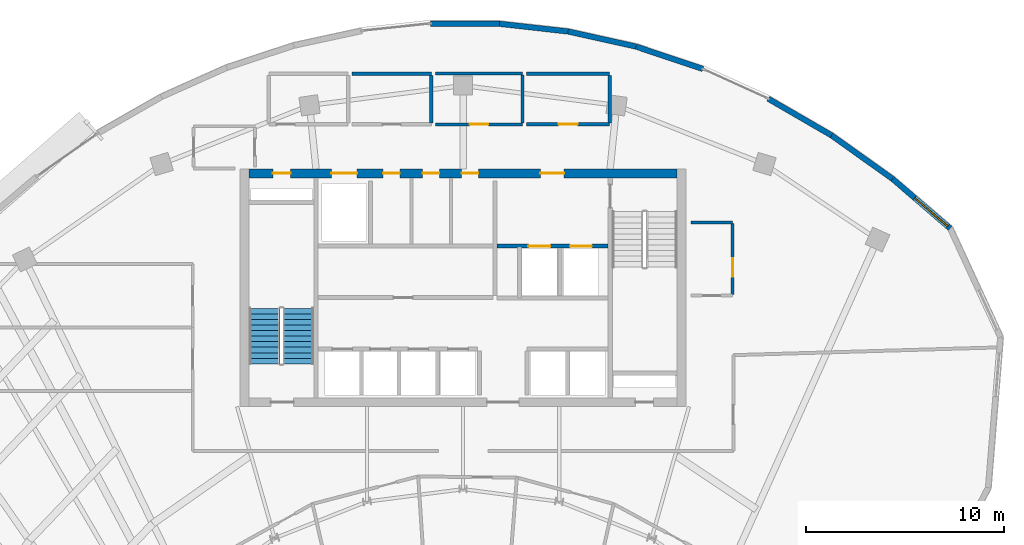
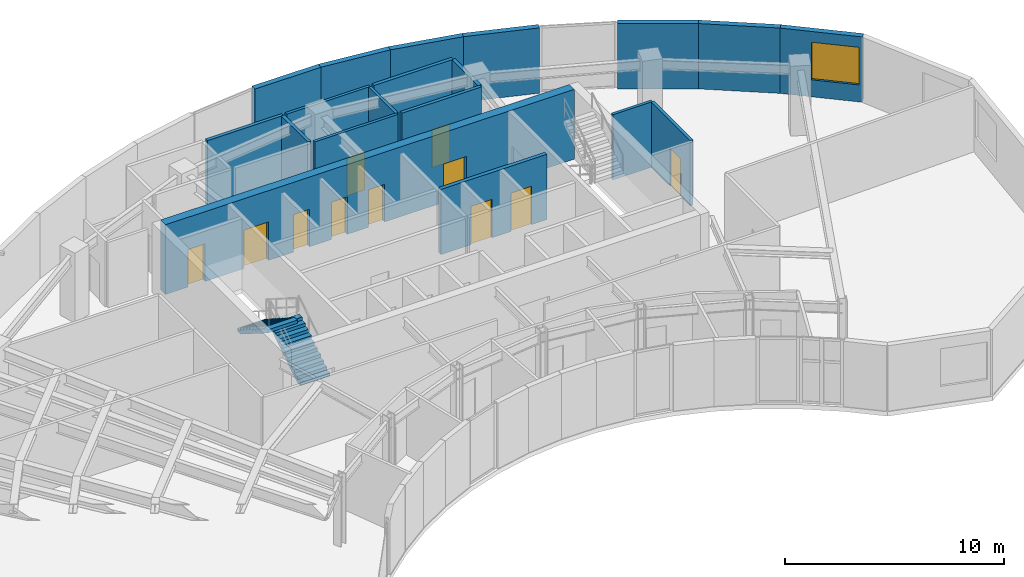
# One storey, part 10 of 12: 19 walls, 11 doors, 2 stair flights, 1 window, 12 openings, 1 element without a shape of its own.
"""IFC4 building model written with IfcOpenShell, lengths in metres."""

from ifc_helpers import new_model, si_unit, direction, frame, frame_2d, origin, place, context, subcontext, project, spatial, polyline, rectangle, outline, extrude, source, transform, mapped, material, layer, layer_set, type_object, type_shapes, element, fill, aggregate, save


model = new_model("IFC4")

# Units and contexts
model_context = context("Model", 3, precision=1e-05, world=origin(), true_north=direction((0.0, 1.0)))
body_context = subcontext(model_context, "Body", "Model", "MODEL_VIEW")
ifc_project = project(units=[si_unit("LENGTHUNIT", "METRE"), si_unit("AREAUNIT", "SQUARE_METRE"), si_unit("VOLUMEUNIT", "CUBIC_METRE"), si_unit("PLANEANGLEUNIT", "RADIAN"), si_unit("MASSUNIT", "GRAM", prefix="KILO")], contexts=[model_context])

# Site, building, storey
site_placement = place(None, origin())
site = spatial("IfcSite", under=ifc_project, at=site_placement, CompositionType="ELEMENT")
building_placement = place(site_placement, origin())
building = spatial("IfcBuilding", under=site, at=building_placement, Name="Breltana Convention Tower", CompositionType="ELEMENT")
storey_placement = place(building_placement, frame((0.0, 0.0, 239.10009765625)))
storey = spatial("IfcBuildingStorey", under=building, at=storey_placement, Name="L58", CompositionType="ELEMENT", Elevation=239.10009765625)

# Wall, openings, doors
ifc_material_1 = material(Name="Concrete C60/75", Category="concrete")
ifc_layer_1 = layer(ifc_material_1, 0.449951171875, Name="Concrete C60/75")
ifc_layer_set_1 = layer_set([ifc_layer_1], Name="Concrete C60/75")
wall_type_1 = type_object("IfcWallType", Name="SW-CORE-450", PredefinedType="SHEAR", material=ifc_layer_set_1)
shared_shape_1 = source(origin(), body_context, "Body", "SweptSolid", [
    extrude(rectangle(XDim=21.60009765625, YDim=0.449951171875, at=frame_2d((10.800048828125, 0.0))), origin(), (0.0, 0.0, 1.0), 3.89990234375),
])
wall_1_placement = place(storey_placement, frame((37.199951171875, 71.97509765625, 0.0), z_axis=(0.0, 0.0, 1.0), x_axis=(1.0, 0.0, 0.0)))
wall_1 = element("IfcWall", 1, at=wall_1_placement, inside=storey, type_object=wall_type_1, Name="L58 North Core Shear Wall", PredefinedType="SHEAR", context=body_context, shape_type="MappedRepresentation", body=[
    mapped(shared_shape_1, transform((0.0, 0.0, 0.0), scale=1.0)),
])
opening_1_placement = place(wall_1_placement, frame((1.199951171875, 0.0, 0.0)))
opening_1 = element("IfcOpeningElement", 2, at=opening_1_placement, cuts=wall_1, Name="Opening D-18", PredefinedType="OPENING", context=body_context, shape_type="SweptSolid", body=[
    extrude(rectangle(XDim=0.89990234375, YDim=2.10009765625, at=frame_2d((0.449951171875, 1.050048828125))), frame((0.0, 0.23486328125, 0.0), z_axis=(0.0, -1.0, 0.0), x_axis=(1.0, 0.0, 0.0)), (0.0, 0.0, 1.0), 0.469970703125),
])
opening_2_placement = place(wall_1_placement, frame((14.699951171875, 0.0, 0.0)))
opening_2 = element("IfcOpeningElement", 3, at=opening_2_placement, cuts=wall_1, Name="Opening D-09", PredefinedType="OPENING", context=body_context, shape_type="SweptSolid", body=[
    extrude(rectangle(XDim=1.199951171875, YDim=2.14990234375, at=frame_2d((0.60009765625, 1.074951171875))), frame((0.0, 0.23486328125, 0.0), z_axis=(0.0, -1.0, 0.0), x_axis=(1.0, 0.0, 0.0)), (0.0, 0.0, 1.0), 0.469970703125),
])
opening_3_placement = place(wall_1_placement, frame((4.14990234375, 0.0, 0.0)))
opening_3 = element("IfcOpeningElement", 4, at=opening_3_placement, cuts=wall_1, Name="Opening LD-01", PredefinedType="OPENING", context=body_context, shape_type="SweptSolid", body=[
    extrude(rectangle(XDim=1.300048828125, YDim=2.14990234375, at=frame_2d((0.64990234375, 1.074951171875))), frame((0.0, 0.23486328125, 0.0), z_axis=(0.0, -1.0, 0.0), x_axis=(1.0, 0.0, 0.0)), (0.0, 0.0, 1.0), 0.469970703125),
])
opening_4_placement = place(wall_1_placement, frame((6.760009765625, 0.0, 0.0)))
opening_4 = element("IfcOpeningElement", 5, at=opening_4_placement, cuts=wall_1, Name="Opening D-20", PredefinedType="OPENING", context=body_context, shape_type="SweptSolid", body=[
    extrude(rectangle(XDim=0.85009765625, YDim=2.10009765625, at=frame_2d((0.425048828125, 1.050048828125))), frame((0.0, 0.23486328125, 0.0), z_axis=(0.0, -1.0, 0.0), x_axis=(1.0, 0.0, 0.0)), (0.0, 0.0, 1.0), 0.469970703125),
])
opening_5_placement = place(wall_1_placement, frame((8.760009765625, 0.0, 0.0)))
opening_5 = element("IfcOpeningElement", 6, at=opening_5_placement, cuts=wall_1, Name="Opening D-20", PredefinedType="OPENING", context=body_context, shape_type="SweptSolid", body=[
    extrude(rectangle(XDim=0.85009765625, YDim=2.10009765625, at=frame_2d((0.425048828125, 1.050048828125))), frame((0.0, 0.23486328125, 0.0), z_axis=(0.0, -1.0, 0.0), x_axis=(1.0, 0.0, 0.0)), (0.0, 0.0, 1.0), 0.469970703125),
])
opening_6_placement = place(wall_1_placement, frame((10.72509765625, 0.0, 0.0)))
opening_6 = element("IfcOpeningElement", 7, at=opening_6_placement, cuts=wall_1, Name="Opening D-20", PredefinedType="OPENING", context=body_context, shape_type="SweptSolid", body=[
    extrude(rectangle(XDim=0.85009765625, YDim=2.10009765625, at=frame_2d((0.425048828125, 1.050048828125))), frame((0.0, 0.23486328125, 0.0), z_axis=(0.0, -1.0, 0.0), x_axis=(1.0, 0.0, 0.0)), (0.0, 0.0, 1.0), 0.469970703125),
])
ifc_material_2 = material(Name="Steel Riser Fire Door", Category="steel")
door_type_1 = type_object("IfcDoorType", Name="DR-FD60-900", OperationType="NOTDEFINED", PredefinedType="DOOR", material=ifc_material_2)
shared_shape_2 = source(origin(), body_context, "Body", "SweptSolid", [
    extrude(rectangle(XDim=0.89990234375, YDim=2.10009765625, at=frame_2d((0.449951171875, 1.050048828125))), frame((0.0, 0.02490234375, 0.0), z_axis=(0.0, -1.0, 0.0), x_axis=(1.0, 0.0, 0.0)), (0.0, 0.0, 1.0), 0.050048828125),
])
type_shapes(door_type_1, [shared_shape_2])
door_1_placement = place(opening_1_placement, origin())
door_1 = element("IfcDoor", 8, at=door_1_placement, inside=storey, type_object=door_type_1, Name="L58 Core Riser Access Door D-L58-RS1", OperationType="SINGLE_SWING_LEFT", OverallHeight=2.10009765625, OverallWidth=0.89990234375, PredefinedType="DOOR", context=body_context, shape_type="MappedRepresentation", body=[
    mapped(shared_shape_2, transform((0.0, 0.0, 0.0), scale=1.0)),
])
fill(opening_1, door_1)
ifc_material_3 = material(Name="Steel Fire Lobby Door", Category="steel")
door_type_2 = type_object("IfcDoorType", Name="DR-FD120-1200", OperationType="NOTDEFINED", PredefinedType="DOOR", material=ifc_material_3)
shared_shape_3 = source(origin(), body_context, "Body", "SweptSolid", [
    extrude(rectangle(XDim=1.199951171875, YDim=2.14990234375, at=frame_2d((0.60009765625, 1.074951171875))), frame((0.0, 0.02490234375, 0.0), z_axis=(0.0, -1.0, 0.0), x_axis=(1.0, 0.0, 0.0)), (0.0, 0.0, 1.0), 0.050048828125),
])
type_shapes(door_type_2, [shared_shape_3])
door_2_placement = place(opening_2_placement, origin())
door_2 = element("IfcDoor", 9, at=door_2_placement, inside=storey, type_object=door_type_2, Name="L58 interior door D-L58-FFL-N", OperationType="SINGLE_SWING_RIGHT", OverallHeight=2.14990234375, OverallWidth=1.199951171875, PredefinedType="DOOR", context=body_context, shape_type="MappedRepresentation", body=[
    mapped(shared_shape_3, transform((0.0, 0.0, 0.0), scale=1.0)),
])
fill(opening_2, door_2)
ifc_material_4 = material(Name="Stainless Steel Brushed", Category="steel")
door_type_3 = type_object("IfcDoorType", Name="DR-LD-SRV-1300", OperationType="DOUBLE_DOOR_SLIDING", PredefinedType="DOOR", material=ifc_material_4)
shared_shape_4 = source(origin(), body_context, "Body", "SweptSolid", [
    extrude(rectangle(XDim=1.300048828125, YDim=2.14990234375, at=frame_2d((0.64990234375, 1.074951171875))), frame((0.0, 0.02490234375, 0.0), z_axis=(0.0, -1.0, 0.0), x_axis=(1.0, 0.0, 0.0)), (0.0, 0.0, 1.0), 0.050048828125),
])
type_shapes(door_type_3, [shared_shape_4])
door_3_placement = place(opening_3_placement, origin())
door_3 = element("IfcDoor", 10, at=door_3_placement, inside=storey, type_object=door_type_3, Name="L58 Lift Landing Door D-L58-LD-SV1", OperationType="DOUBLE_DOOR_SLIDING", OverallHeight=2.14990234375, OverallWidth=1.300048828125, PredefinedType="DOOR", context=body_context, shape_type="MappedRepresentation", body=[
    mapped(shared_shape_4, transform((0.0, 0.0, 0.0), scale=1.0)),
])
fill(opening_3, door_3)
ifc_material_5 = material(Name="Steel Closet Fire Door", Category="steel")
door_type_4 = type_object("IfcDoorType", Name="DR-FD60-850", OperationType="NOTDEFINED", PredefinedType="DOOR", material=ifc_material_5)
shared_shape_5 = source(origin(), body_context, "Body", "SweptSolid", [
    extrude(rectangle(XDim=0.85009765625, YDim=2.10009765625, at=frame_2d((0.425048828125, 1.050048828125))), frame((0.0, 0.02490234375, 0.0), z_axis=(0.0, -1.0, 0.0), x_axis=(1.0, 0.0, 0.0)), (0.0, 0.0, 1.0), 0.050048828125),
])
type_shapes(door_type_4, [shared_shape_5])
door_4_placement = place(opening_4_placement, origin())
door_4 = element("IfcDoor", 11, at=door_4_placement, inside=storey, type_object=door_type_4, Name="L58 interior door D-L58-CRA1", OperationType="SINGLE_SWING_RIGHT", OverallHeight=2.10009765625, OverallWidth=0.85009765625, PredefinedType="DOOR", context=body_context, shape_type="MappedRepresentation", body=[
    mapped(shared_shape_5, transform((0.0, 0.0, 0.0), scale=1.0)),
])
fill(opening_4, door_4)
door_5_placement = place(opening_5_placement, origin())
door_5 = element("IfcDoor", 12, at=door_5_placement, inside=storey, type_object=door_type_4, Name="L58 interior door D-L58-CRA2", OperationType="SINGLE_SWING_LEFT", OverallHeight=2.10009765625, OverallWidth=0.85009765625, PredefinedType="DOOR", context=body_context, shape_type="MappedRepresentation", body=[
    mapped(shared_shape_5, transform((0.0, 0.0, 0.0), scale=1.0)),
])
fill(opening_5, door_5)
door_6_placement = place(opening_6_placement, origin())
door_6 = element("IfcDoor", 13, at=door_6_placement, inside=storey, type_object=door_type_4, Name="L58 interior door D-L58-CRA3", OperationType="SINGLE_SWING_RIGHT", OverallHeight=2.10009765625, OverallWidth=0.85009765625, PredefinedType="DOOR", context=body_context, shape_type="MappedRepresentation", body=[
    mapped(shared_shape_5, transform((0.0, 0.0, 0.0), scale=1.0)),
])
fill(opening_6, door_6)

# Walls
ifc_material_6 = material(Name="Limestone Buff Insulated Wall", Category="masonry")
ifc_layer_2 = layer(ifc_material_6, 0.280029296875, Name="Limestone Buff Insulated Wall")
ifc_layer_set_2 = layer_set([ifc_layer_2], Name="Limestone Buff Insulated Wall")
wall_type_2 = type_object("IfcWallType", Name="WL-EXT-NOSE-280", PredefinedType="SOLIDWALL", material=ifc_layer_set_2)
shared_shape_6 = source(origin(), body_context, "Body", "SweptSolid", [
    extrude(rectangle(XDim=3.477294921875, YDim=0.280029296875, at=frame_2d((1.73876953125, 0.0))), origin(), (0.0, 0.0, 1.0), 3.64990234375),
])
wall_2_placement = place(storey_placement, frame((46.354736328125, 79.531494140625, 0.0), z_axis=(0.0, 0.0, 1.0), x_axis=(0.999995652268, -0.002948804142, 0.0)))
element("IfcWall", 14, at=wall_2_placement, inside=storey, type_object=wall_type_2, Name="L58 curved limestone nose wall E28", PredefinedType="SOLIDWALL", context=body_context, shape_type="MappedRepresentation", body=[
    mapped(shared_shape_6, transform((0.0, 0.0, 0.0), scale=1.0)),
])
shared_shape_7 = source(origin(), body_context, "Body", "SweptSolid", [
    extrude(rectangle(XDim=3.514892578125, YDim=0.280029296875, at=frame_2d((1.75732421875, 0.0))), origin(), (0.0, 0.0, 1.0), 3.64990234375),
])
wall_3_placement = place(storey_placement, frame((53.297607421875, 79.13330078125, 0.0), z_axis=(0.0, 0.0, 1.0), x_axis=(0.976144550296, -0.217121663884, 0.0)))
element("IfcWall", 15, at=wall_3_placement, inside=storey, type_object=wall_type_2, Name="L58 curved limestone nose wall E30", PredefinedType="SOLIDWALL", context=body_context, shape_type="MappedRepresentation", body=[
    mapped(shared_shape_7, transform((0.0, 0.0, 0.0), scale=1.0)),
])
shared_shape_8 = source(origin(), body_context, "Body", "SweptSolid", [
    extrude(rectangle(XDim=3.559326171875, YDim=0.280029296875, at=frame_2d((1.77978515625, 0.0))), origin(), (0.0, 0.0, 1.0), 3.64990234375),
])
wall_4_placement = place(storey_placement, frame((56.728759765625, 78.3701171875, 0.0), z_axis=(0.0, 0.0, 1.0), x_axis=(0.947933000453, -0.31846982063, 0.0)))
element("IfcWall", 16, at=wall_4_placement, inside=storey, type_object=wall_type_2, Name="L58 curved limestone nose wall E31", PredefinedType="SOLIDWALL", context=body_context, shape_type="MappedRepresentation", body=[
    mapped(shared_shape_8, transform((0.0, 0.0, 0.0), scale=1.0)),
])
shared_shape_9 = source(origin(), body_context, "Body", "SweptSolid", [
    extrude(rectangle(XDim=3.69189453125, YDim=0.280029296875, at=frame_2d((1.845947265625, 0.0))), origin(), (0.0, 0.0, 1.0), 3.64990234375),
])
wall_5_placement = place(storey_placement, frame((63.398193359375, 75.73974609375, 0.0), z_axis=(0.0, 0.0, 1.0), x_axis=(0.86534327136, -0.501179631181, 0.0)))
element("IfcWall", 17, at=wall_5_placement, inside=storey, type_object=wall_type_2, Name="L58 curved limestone nose wall E32", PredefinedType="SOLIDWALL", context=body_context, shape_type="MappedRepresentation", body=[
    mapped(shared_shape_9, transform((0.0, 0.0, 0.0), scale=1.0)),
])
shared_shape_10 = source(origin(), body_context, "Body", "SweptSolid", [
    extrude(rectangle(XDim=3.775146484375, YDim=0.280029296875, at=frame_2d((1.8876953125, 0.0))), origin(), (0.0, 0.0, 1.0), 3.64990234375),
])
wall_6_placement = place(storey_placement, frame((66.593017578125, 73.889404296875, 0.0), z_axis=(0.0, 0.0, 1.0), x_axis=(0.814135281578, -0.580675247699, 0.0)))
element("IfcWall", 18, at=wall_6_placement, inside=storey, type_object=wall_type_2, Name="L58 curved limestone nose wall E33", PredefinedType="SOLIDWALL", context=body_context, shape_type="MappedRepresentation", body=[
    mapped(shared_shape_10, transform((0.0, 0.0, 0.0), scale=1.0)),
])

# Wall, opening, window
shared_shape_11 = source(origin(), body_context, "Body", "SweptSolid", [
    extrude(rectangle(XDim=3.833984375, YDim=0.280029296875, at=frame_2d((1.9169921875, 0.0))), origin(), (0.0, 0.0, 1.0), 3.64990234375),
])
wall_7_placement = place(storey_placement, frame((69.66650390625, 71.697265625, 0.0), z_axis=(0.0, 0.0, 1.0), x_axis=(0.75839292431, -0.651797646787, 0.0)))
wall_7 = element("IfcWall", 19, at=wall_7_placement, inside=storey, type_object=wall_type_2, Name="L58 curved limestone nose wall E34", PredefinedType="SOLIDWALL", context=body_context, shape_type="MappedRepresentation", body=[
    mapped(shared_shape_11, transform((0.0, 0.0, 0.0), scale=1.0)),
])
opening_7_placement = place(wall_7_placement, frame((1.473876953125, 0.0, 0.949951171875)))
opening_7 = element("IfcOpeningElement", 20, at=opening_7_placement, cuts=wall_7, Name="Opening W-03", PredefinedType="OPENING", context=body_context, shape_type="SweptSolid", body=[
    extrude(rectangle(XDim=2.199951171875, YDim=2.10009765625, at=frame_2d((1.10009765625, 1.050048828125))), frame((0.0, 0.14990234375, 0.0), z_axis=(0.0, -1.0, 0.0), x_axis=(1.0, 0.0, 0.0)), (0.0, 0.0, 1.0), 0.300048828125),
])
ifc_material_7 = material(Name="Glass Low-E Insulated Window", Category="glass")
window_type = type_object("IfcWindowType", Name="WN-NOSE-2200X2100", PartitioningType="TRIPLE_PANEL_VERTICAL", PredefinedType="WINDOW", material=ifc_material_7)
shared_shape_12 = source(origin(), body_context, "Body", "SweptSolid", [
    extrude(rectangle(XDim=2.199951171875, YDim=2.10009765625, at=frame_2d((1.10009765625, 1.050048828125))), frame((0.0, 0.030029296875, 0.0), z_axis=(0.0, -1.0, 0.0), x_axis=(1.0, 0.0, 0.0)), (0.0, 0.0, 1.0), 0.06005859375),
])
type_shapes(window_type, [shared_shape_12])
window_placement = place(opening_7_placement, origin())
window = element("IfcWindow", 21, at=window_placement, inside=storey, type_object=window_type, Name="L58 nose window E34", OverallHeight=2.10009765625, OverallWidth=2.199951171875, PartitioningType="TRIPLE_PANEL_VERTICAL", PredefinedType="WINDOW", context=body_context, shape_type="MappedRepresentation", body=[
    mapped(shared_shape_12, transform((0.0, 0.0, 0.0), scale=1.0)),
])
fill(opening_7, window)

# Wall
shared_shape_13 = source(origin(), body_context, "Body", "SweptSolid", [
    extrude(rectangle(XDim=3.4873046875, YDim=0.280029296875, at=frame_2d((1.74365234375, 0.0))), origin(), (0.0, 0.0, 1.0), 3.64990234375),
])
wall_8_placement = place(storey_placement, frame((49.83203125, 79.521240234375, 0.0), z_axis=(0.0, 0.0, 1.0), x_axis=(0.993792900103, -0.111245996355, 0.0)))
element("IfcWall", 22, at=wall_8_placement, inside=storey, type_object=wall_type_2, Name="L58 curved limestone nose wall E29", PredefinedType="SOLIDWALL", context=body_context, shape_type="MappedRepresentation", body=[
    mapped(shared_shape_13, transform((0.0, 0.0, 0.0), scale=1.0)),
])

# Wall, openings, doors
ifc_material_8 = material(Name="Autoclaved Aerated Concrete Block", Category="concrete")
ifc_layer_3 = layer(ifc_material_8, 0.199951171875, Name="Autoclaved Aerated Concrete Block")
ifc_layer_set_3 = layer_set([ifc_layer_3], Name="Autoclaved Aerated Concrete Block")
wall_type_3 = type_object("IfcWallType", Name="WL-SHAFT-200", PredefinedType="SOLIDWALL", material=ifc_layer_set_3)
shared_shape_14 = source(origin(), body_context, "Body", "SweptSolid", [
    extrude(rectangle(XDim=5.6201171875, YDim=0.199951171875, at=frame_2d((2.81005859375, 0.0))), origin(), (0.0, 0.0, 1.0), 3.64990234375),
])
wall_9_placement = place(storey_placement, frame((49.699951171875, 68.300048828125, 0.0), z_axis=(0.0, 0.0, 1.0), x_axis=(1.0, 0.0, 0.0)))
wall_9 = element("IfcWall", 23, at=wall_9_placement, inside=storey, type_object=wall_type_3, Name="L58 interior partition W-L58-FFL-S", PredefinedType="SOLIDWALL", context=body_context, shape_type="MappedRepresentation", body=[
    mapped(shared_shape_14, transform((0.0, 0.0, 0.0), scale=1.0)),
])
opening_8_placement = place(wall_9_placement, frame((1.60009765625, 0.0, 0.0)))
opening_8 = element("IfcOpeningElement", 24, at=opening_8_placement, cuts=wall_9, Name="Opening LD-03", PredefinedType="OPENING", context=body_context, shape_type="SweptSolid", body=[
    extrude(rectangle(XDim=1.10009765625, YDim=2.14990234375, at=frame_2d((0.550048828125, 1.074951171875))), frame((0.0, 0.10986328125, 0.0), z_axis=(0.0, -1.0, 0.0), x_axis=(1.0, 0.0, 0.0)), (0.0, 0.0, 1.0), 0.219970703125),
])
opening_9_placement = place(wall_9_placement, frame((3.699951171875, 0.0, 0.0)))
opening_9 = element("IfcOpeningElement", 25, at=opening_9_placement, cuts=wall_9, Name="Opening LD-03", PredefinedType="OPENING", context=body_context, shape_type="SweptSolid", body=[
    extrude(rectangle(XDim=1.10009765625, YDim=2.14990234375, at=frame_2d((0.550048828125, 1.074951171875))), frame((0.0, 0.10986328125, 0.0), z_axis=(0.0, -1.0, 0.0), x_axis=(1.0, 0.0, 0.0)), (0.0, 0.0, 1.0), 0.219970703125),
])
door_type_5 = type_object("IfcDoorType", Name="DR-LD-FF-1100", OperationType="DOUBLE_DOOR_SLIDING", PredefinedType="DOOR", material=ifc_material_4)
shared_shape_15 = source(origin(), body_context, "Body", "SweptSolid", [
    extrude(rectangle(XDim=1.10009765625, YDim=2.14990234375, at=frame_2d((0.550048828125, 1.074951171875))), frame((0.0, 0.02490234375, 0.0), z_axis=(0.0, -1.0, 0.0), x_axis=(1.0, 0.0, 0.0)), (0.0, 0.0, 1.0), 0.050048828125),
])
type_shapes(door_type_5, [shared_shape_15])
door_7_placement = place(opening_8_placement, origin())
door_7 = element("IfcDoor", 26, at=door_7_placement, inside=storey, type_object=door_type_5, Name="L58 Lift Landing Door D-L58-LD-FL1", OperationType="DOUBLE_DOOR_SLIDING", OverallHeight=2.14990234375, OverallWidth=1.10009765625, PredefinedType="DOOR", context=body_context, shape_type="MappedRepresentation", body=[
    mapped(shared_shape_15, transform((0.0, 0.0, 0.0), scale=1.0)),
])
fill(opening_8, door_7)
door_8_placement = place(opening_9_placement, origin())
door_8 = element("IfcDoor", 27, at=door_8_placement, inside=storey, type_object=door_type_5, Name="L58 Lift Landing Door D-L58-LD-FL2", OperationType="DOUBLE_DOOR_SLIDING", OverallHeight=2.14990234375, OverallWidth=1.10009765625, PredefinedType="DOOR", context=body_context, shape_type="MappedRepresentation", body=[
    mapped(shared_shape_15, transform((0.0, 0.0, 0.0), scale=1.0)),
])
fill(opening_9, door_8)

# Wall
ifc_material_9 = material(Name="Gypsum Acoustic Drywall Partition")
ifc_layer_4 = layer(ifc_material_9, 0.14990234375, Name="Gypsum Acoustic Drywall Partition")
ifc_layer_set_4 = layer_set([ifc_layer_4], Name="Gypsum Acoustic Drywall Partition")
wall_type_4 = type_object("IfcWallType", Name="WL-PART-150", PredefinedType="PARTITIONING", material=ifc_layer_set_4)
shared_shape_16 = source(origin(), body_context, "Body", "SweptSolid", [
    extrude(rectangle(XDim=2.10009765625, YDim=0.14990234375, at=frame_2d((1.050048828125, 0.0))), origin(), (0.0, 0.0, 1.0), 3.64990234375),
])
wall_10_placement = place(storey_placement, frame((59.5, 69.5, 0.0), z_axis=(0.0, 0.0, 1.0), x_axis=(1.0, 0.0, 0.0)))
element("IfcWall", 28, at=wall_10_placement, inside=storey, type_object=wall_type_4, Name="L58 interior partition W-L58-CRSE-N", PredefinedType="PARTITIONING", context=body_context, shape_type="MappedRepresentation", body=[
    mapped(shared_shape_16, transform((0.0, 0.0, 0.0), scale=1.0)),
])

# Wall, opening, door
shared_shape_17 = source(origin(), body_context, "Body", "SweptSolid", [
    extrude(rectangle(XDim=3.565185546875, YDim=0.14990234375, at=frame_2d((1.78271484375, 0.0))), origin(), (0.0, 0.0, 1.0), 3.64990234375),
])
wall_11_placement = place(storey_placement, frame((61.60009765625, 65.867431640625, 0.0), z_axis=(0.0, 0.0, 1.0), x_axis=(0.0, 1.0, 0.0)))
wall_11 = element("IfcWall", 29, at=wall_11_placement, inside=storey, type_object=wall_type_4, Name="L58 interior partition W-L58-CRSE-E", PredefinedType="PARTITIONING", context=body_context, shape_type="MappedRepresentation", body=[
    mapped(shared_shape_17, transform((0.0, 0.0, 0.0), scale=1.0)),
])
opening_10_placement = place(wall_11_placement, frame((0.879638671875, 0.0, 0.0)))
opening_10 = element("IfcOpeningElement", 30, at=opening_10_placement, cuts=wall_11, Name="Opening D-17", PredefinedType="OPENING", context=body_context, shape_type="SweptSolid", body=[
    extrude(rectangle(XDim=0.949951171875, YDim=2.10009765625, at=frame_2d((0.47509765625, 1.050048828125))), frame((0.0, 0.0849609375, 0.0), z_axis=(0.0, -1.0, 0.0), x_axis=(1.0, 0.0, 0.0)), (0.0, 0.0, 1.0), 0.169921875),
])
ifc_material_10 = material(Name="Timber Oak Veneer Door", Category="wood")
door_type_6 = type_object("IfcDoorType", Name="DR-INT-950", OperationType="NOTDEFINED", PredefinedType="DOOR", material=ifc_material_10)
shared_shape_18 = source(origin(), body_context, "Body", "SweptSolid", [
    extrude(rectangle(XDim=0.949951171875, YDim=2.10009765625, at=frame_2d((0.47509765625, 1.050048828125))), frame((0.0, 0.02490234375, 0.0), z_axis=(0.0, -1.0, 0.0), x_axis=(1.0, 0.0, 0.0)), (0.0, 0.0, 1.0), 0.050048828125),
])
type_shapes(door_type_6, [shared_shape_18])
door_9_placement = place(opening_10_placement, origin())
door_9 = element("IfcDoor", 31, at=door_9_placement, inside=storey, type_object=door_type_6, Name="L58 interior door D-L58-EXE2", OperationType="SINGLE_SWING_RIGHT", OverallHeight=2.10009765625, OverallWidth=0.949951171875, PredefinedType="DOOR", context=body_context, shape_type="MappedRepresentation", body=[
    mapped(shared_shape_18, transform((0.0, 0.0, 0.0), scale=1.0)),
])
fill(opening_10, door_9)

# Walls
ifc_material_11 = material(Name="Moisture-Resistant Gypsum Chase Wall")
ifc_layer_5 = layer(ifc_material_11, 0.179931640625, Name="Moisture-Resistant Gypsum Chase Wall")
ifc_layer_set_5 = layer_set([ifc_layer_5], Name="Moisture-Resistant Gypsum Chase Wall")
wall_type_5 = type_object("IfcWallType", Name="WL-PLUMB-180", PredefinedType="PLUMBINGWALL", material=ifc_layer_set_5)
shared_shape_19 = source(origin(), body_context, "Body", "SweptSolid", [
    extrude(rectangle(XDim=4.0, YDim=0.179931640625, at=frame_2d((2.0, 0.0))), origin(), (0.0, 0.0, 1.0), 3.64990234375),
])
wall_12_placement = place(storey_placement, frame((42.39990234375, 77.0, 0.0), z_axis=(0.0, 0.0, 1.0), x_axis=(1.0, 0.0, 0.0)))
element("IfcWall", 32, at=wall_12_placement, inside=storey, type_object=wall_type_5, Name="L58 interior partition W-L58-WCF-N", PredefinedType="PLUMBINGWALL", context=body_context, shape_type="MappedRepresentation", body=[
    mapped(shared_shape_19, transform((0.0, 0.0, 0.0), scale=1.0)),
])
ifc_material_12 = material(Name="Cement Board Wet-Area Partition")
ifc_layer_6 = layer(ifc_material_12, 0.175048828125, Name="Cement Board Wet-Area Partition")
ifc_layer_set_6 = layer_set([ifc_layer_6], Name="Cement Board Wet-Area Partition")
wall_type_6 = type_object("IfcWallType", Name="WL-WET-175", PredefinedType="PARTITIONING", material=ifc_layer_set_6)
shared_shape_20 = source(origin(), body_context, "Body", "SweptSolid", [
    extrude(rectangle(XDim=2.402587890625, YDim=0.175048828125, at=frame_2d((1.201171875, 0.0))), origin(), (0.0, 0.0, 1.0), 3.64990234375),
])
for number, where, z_axis, x_axis, name in (
    (33, (46.39990234375, 74.518798828125, 0.0), (0.0, 0.0, 1.0), (0.0, 1.0, 0.0), "L58 interior partition W-L58-WCF-E"),
    (34, (55.39990234375, 74.518798828125, 0.0), (0.0, 0.0, 1.0), (0.0, 1.0, 0.0), "L58 interior partition W-L58-WCA-E"),
):
    element("IfcWall", number, at=place(storey_placement, frame(where, z_axis=z_axis, x_axis=x_axis)), inside=storey, type_object=wall_type_6, Name=name, PredefinedType="PARTITIONING", context=body_context, shape_type="MappedRepresentation", body=[
        mapped(shared_shape_20, transform((0.0, 0.0, 0.0), scale=1.0)),
    ])

# Wall, opening, door
shared_shape_21 = source(origin(), body_context, "Body", "SweptSolid", [
    extrude(rectangle(XDim=4.39990234375, YDim=0.14990234375, at=frame_2d((2.199951171875, 0.0))), origin(), (0.0, 0.0, 1.0), 3.64990234375),
])
wall_13_placement = place(storey_placement, frame((46.60009765625, 74.43994140625, 0.0), z_axis=(0.0, 0.0, 1.0), x_axis=(1.0, 0.0, 0.0)))
wall_13 = element("IfcWall", 35, at=wall_13_placement, inside=storey, type_object=wall_type_4, Name="L58 interior partition W-L58-PNT-S", PredefinedType="PARTITIONING", context=body_context, shape_type="MappedRepresentation", body=[
    mapped(shared_shape_21, transform((0.0, 0.0, 0.0), scale=1.0)),
])
opening_11_placement = place(wall_13_placement, frame((1.72509765625, 0.0, 0.0)))
opening_11 = element("IfcOpeningElement", 36, at=opening_11_placement, cuts=wall_13, Name="Opening D-17", PredefinedType="OPENING", context=body_context, shape_type="SweptSolid", body=[
    extrude(rectangle(XDim=0.949951171875, YDim=2.10009765625, at=frame_2d((0.47509765625, 1.050048828125))), frame((0.0, 0.0849609375, 0.0), z_axis=(0.0, -1.0, 0.0), x_axis=(1.0, 0.0, 0.0)), (0.0, 0.0, 1.0), 0.169921875),
])
door_10_placement = place(opening_11_placement, origin())
door_10 = element("IfcDoor", 37, at=door_10_placement, inside=storey, type_object=door_type_6, Name="L58 interior door D-L58-PNT", OperationType="SINGLE_SWING_RIGHT", OverallHeight=2.10009765625, OverallWidth=0.949951171875, PredefinedType="DOOR", context=body_context, shape_type="MappedRepresentation", body=[
    mapped(shared_shape_18, transform((0.0, 0.0, 0.0), scale=1.0)),
])
fill(opening_11, door_10)

# Walls
wall_14_placement = place(storey_placement, frame((46.60009765625, 77.0, 0.0), z_axis=(0.0, 0.0, 1.0), x_axis=(1.0, 0.0, 0.0)))
element("IfcWall", 38, at=wall_14_placement, inside=storey, type_object=wall_type_4, Name="L58 interior partition W-L58-PNT-N", PredefinedType="PARTITIONING", context=body_context, shape_type="MappedRepresentation", body=[
    mapped(shared_shape_21, transform((0.0, 0.0, 0.0), scale=1.0)),
])
shared_shape_22 = source(origin(), body_context, "Body", "SweptSolid", [
    extrude(rectangle(XDim=2.425048828125, YDim=0.14990234375, at=frame_2d((1.21240234375, 0.0))), origin(), (0.0, 0.0, 1.0), 3.64990234375),
])
wall_15_placement = place(storey_placement, frame((51.0, 74.507568359375, 0.0), z_axis=(0.0, 0.0, 1.0), x_axis=(0.0, 1.0, 0.0)))
element("IfcWall", 39, at=wall_15_placement, inside=storey, type_object=wall_type_4, Name="L58 interior partition W-L58-PNT-E", PredefinedType="PARTITIONING", context=body_context, shape_type="MappedRepresentation", body=[
    mapped(shared_shape_22, transform((0.0, 0.0, 0.0), scale=1.0)),
])

# Wall, opening, door
shared_shape_23 = source(origin(), body_context, "Body", "SweptSolid", [
    extrude(rectangle(XDim=4.199951171875, YDim=0.175048828125, at=frame_2d((2.10009765625, 0.0))), origin(), (0.0, 0.0, 1.0), 3.64990234375),
])
wall_16_placement = place(storey_placement, frame((51.199951171875, 74.43994140625, 0.0), z_axis=(0.0, 0.0, 1.0), x_axis=(1.0, 0.0, 0.0)))
wall_16 = element("IfcWall", 40, at=wall_16_placement, inside=storey, type_object=wall_type_6, Name="L58 interior partition W-L58-WCA-S", PredefinedType="PARTITIONING", context=body_context, shape_type="MappedRepresentation", body=[
    mapped(shared_shape_23, transform((0.0, 0.0, 0.0), scale=1.0)),
])
opening_12_placement = place(wall_16_placement, frame((1.625, 0.0, 0.0)))
opening_12 = element("IfcOpeningElement", 41, at=opening_12_placement, cuts=wall_16, Name="Opening D-16", PredefinedType="OPENING", context=body_context, shape_type="SweptSolid", body=[
    extrude(rectangle(XDim=0.949951171875, YDim=2.1201171875, at=frame_2d((0.47509765625, 1.06005859375))), frame((0.0, 0.09765625, 0.0), z_axis=(0.0, -1.0, 0.0), x_axis=(1.0, 0.0, 0.0)), (0.0, 0.0, 1.0), 0.195068359375),
])
ifc_material_13 = material(Name="Timber Laminate Accessible Door", Category="wood")
door_type_7 = type_object("IfcDoorType", Name="DR-ACC-950", OperationType="NOTDEFINED", PredefinedType="DOOR", material=ifc_material_13)
shared_shape_24 = source(origin(), body_context, "Body", "SweptSolid", [
    extrude(rectangle(XDim=0.949951171875, YDim=2.1201171875, at=frame_2d((0.47509765625, 1.06005859375))), frame((0.0, 0.02490234375, 0.0), z_axis=(0.0, -1.0, 0.0), x_axis=(1.0, 0.0, 0.0)), (0.0, 0.0, 1.0), 0.050048828125),
])
type_shapes(door_type_7, [shared_shape_24])
door_11_placement = place(opening_12_placement, origin())
door_11 = element("IfcDoor", 42, at=door_11_placement, inside=storey, type_object=door_type_7, Name="L58 interior door D-L58-WCA", OperationType="SINGLE_SWING_LEFT", OverallHeight=2.1201171875, OverallWidth=0.949951171875, PredefinedType="DOOR", context=body_context, shape_type="MappedRepresentation", body=[
    mapped(shared_shape_24, transform((0.0, 0.0, 0.0), scale=1.0)),
])
fill(opening_12, door_11)

# Wall
shared_shape_25 = source(origin(), body_context, "Body", "SweptSolid", [
    extrude(rectangle(XDim=4.199951171875, YDim=0.179931640625, at=frame_2d((2.10009765625, 0.0))), origin(), (0.0, 0.0, 1.0), 3.64990234375),
])
wall_17_placement = place(storey_placement, frame((51.199951171875, 77.0, 0.0), z_axis=(0.0, 0.0, 1.0), x_axis=(1.0, 0.0, 0.0)))
element("IfcWall", 43, at=wall_17_placement, inside=storey, type_object=wall_type_5, Name="L58 interior partition W-L58-WCA-N", PredefinedType="PLUMBINGWALL", context=body_context, shape_type="MappedRepresentation", body=[
    mapped(shared_shape_25, transform((0.0, 0.0, 0.0), scale=1.0)),
])

# Stair, stair flights
ifc_material_14 = material(Name="Concrete C40/50", Category="concrete")
stair_type = type_object("IfcStairType", Name="ST-DOG-1560-R177", PredefinedType="HALF_TURN_STAIR", material=ifc_material_14)
stair_placement = place(storey_placement, origin())
stair = element("IfcStair", 44, at=stair_placement, inside=storey, type_object=stair_type, Name="L58 Protected Core Exit Stair ST-1", PredefinedType="HALF_TURN_STAIR")
stair_flight_type = type_object("IfcStairFlightType", Name="STF-DOG-1560-N11-R177", PredefinedType="STRAIGHT", material=ifc_material_14)
stair_flight_1_placement = place(storey_placement, frame((39.68994140625, 62.360107421875, 0.0), z_axis=(0.0, 0.0, 1.0), x_axis=(0.0, 1.0, 0.0)))
stair_flight_1 = element("IfcStairFlight", 45, at=stair_flight_1_placement, type_object=stair_flight_type, Name="ST-1 flight 1", NumberOfRisers=11, NumberOfTreads=10, PredefinedType="STRAIGHT", RiserHeight=0.177272727, TreadLength=0.28, context=body_context, shape_type="SweptSolid", body=[
    extrude(outline(polyline([(0.0, 0.0), (0.0, 0.17724609375), (0.280029296875, 0.17724609375), (0.280029296875, 0.3544921875), (0.56005859375, 0.3544921875), (0.56005859375, 0.53173828125), (0.840087890625, 0.53173828125), (0.840087890625, 0.708984375), (1.1201171875, 0.708984375), (1.1201171875, 0.886474609375), (1.39990234375, 0.886474609375), (1.39990234375, 1.063720703125), (1.679931640625, 1.063720703125), (1.679931640625, 1.240966796875), (1.9599609375, 1.240966796875), (1.9599609375, 1.418212890625), (2.239990234375, 1.418212890625), (2.239990234375, 1.595458984375), (2.52001953125, 1.595458984375), (2.52001953125, 1.772705078125), (2.800048828125, 1.772705078125), (2.800048828125, 1.949951171875), (2.800048828125, 1.59521484375), (0.2802734375, 0.0), (0.0, 0.0)])), frame((0.0, 0.780029296875, 0.0), z_axis=(0.0, -1.0, 0.0), x_axis=(1.0, 0.0, 0.0)), (0.0, 0.0, 1.0), 1.56005859375),
])
stair_flight_2_placement = place(storey_placement, frame((37.97998046875, 65.159912109375, 1.949951171875), z_axis=(0.0, 0.0, 1.0), x_axis=(0.0, -1.0, 0.0)))
stair_flight_2 = element("IfcStairFlight", 46, at=stair_flight_2_placement, type_object=stair_flight_type, Name="ST-1 flight 2", NumberOfRisers=11, NumberOfTreads=10, PredefinedType="STRAIGHT", RiserHeight=0.177272727, TreadLength=0.28, context=body_context, shape_type="SweptSolid", body=[
    extrude(outline(polyline([(0.0, 0.0), (0.0, 0.17724609375), (0.280029296875, 0.17724609375), (0.280029296875, 0.3544921875), (0.56005859375, 0.3544921875), (0.56005859375, 0.53173828125), (0.840087890625, 0.53173828125), (0.840087890625, 0.708984375), (1.1201171875, 0.708984375), (1.1201171875, 0.886474609375), (1.39990234375, 0.886474609375), (1.39990234375, 1.063720703125), (1.679931640625, 1.063720703125), (1.679931640625, 1.240966796875), (1.9599609375, 1.240966796875), (1.9599609375, 1.418212890625), (2.239990234375, 1.418212890625), (2.239990234375, 1.595458984375), (2.52001953125, 1.595458984375), (2.52001953125, 1.772705078125), (2.800048828125, 1.772705078125), (2.800048828125, 1.949951171875), (2.800048828125, 1.59521484375), (0.2802734375, 0.0), (0.0, 0.0)])), frame((0.0, 0.780029296875, 0.0), z_axis=(0.0, -1.0, 0.0), x_axis=(1.0, 0.0, 0.0)), (0.0, 0.0, 1.0), 1.56005859375),
])
aggregate(stair, [stair_flight_1, stair_flight_2])

save(model, "model.ifc")
